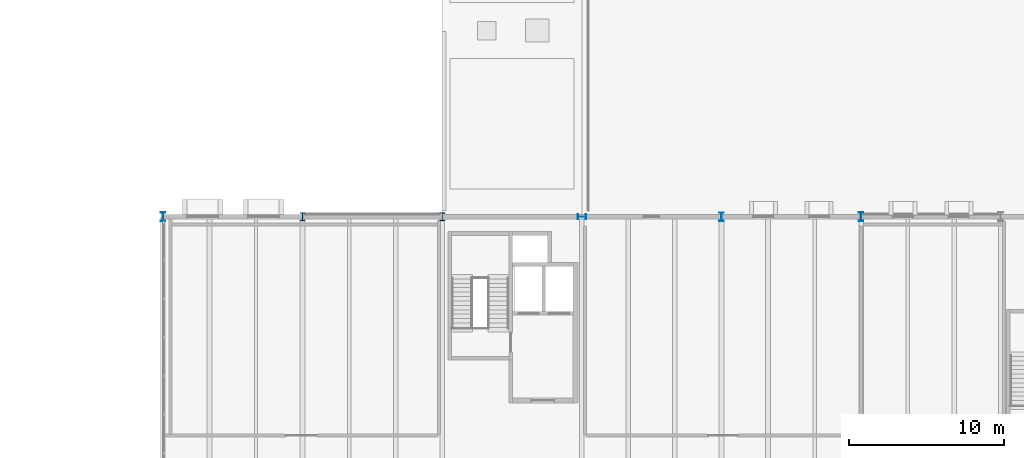
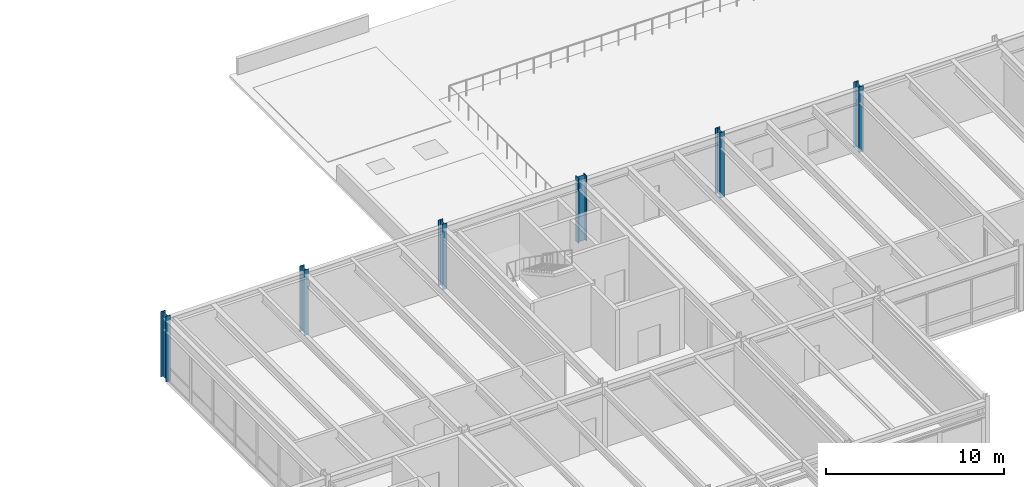
# One storey, part 14 of 115: 6 columns.
"""IFC4 building model written with IfcOpenShell, lengths in metres."""

from ifc_helpers import new_model, si_unit, direction, frame, origin, origin_2d, place, context, subcontext, project, spatial, i_section, extrude, material, material_profile, profile_set, type_object, element, save


model = new_model("IFC4")

# Units and contexts
model_context = context("Model", 3, precision=1e-05, world=origin(), true_north=direction((0.0, 1.0)))
body_context = subcontext(model_context, "Body", "Model", "MODEL_VIEW")
ifc_project = project(units=[si_unit("LENGTHUNIT", "METRE"), si_unit("AREAUNIT", "SQUARE_METRE"), si_unit("VOLUMEUNIT", "CUBIC_METRE"), si_unit("PLANEANGLEUNIT", "RADIAN"), si_unit("MASSUNIT", "GRAM", prefix="KILO")], contexts=[model_context])

# Site, building, storey
site_placement = place(None, origin())
site = spatial("IfcSite", under=ifc_project, at=site_placement, CompositionType="ELEMENT")
building_placement = place(site_placement, origin())
building = spatial("IfcBuilding", under=site, at=building_placement, Name="Montelvaro Courts of Justice", CompositionType="ELEMENT")
storey_placement = place(building_placement, frame((0.0, 0.0, 9.89990234375)))
storey = spatial("IfcBuildingStorey", under=building, at=storey_placement, Name="L02", CompositionType="ELEMENT", Elevation=9.89990234375)

# Columns
ifc_material = material(Name="Steel S355", Category="steel")
ifc_material_profile_1 = material_profile(ifc_material, i_section(OverallWidth=0.300048828125, OverallDepth=0.5, WebThickness=0.014404296875, FlangeThickness=0.028076171875, at=origin_2d()), Name="HEB 500")
ifc_profile_set_1 = profile_set([ifc_material_profile_1], Name="Steel S355")
column_type_1 = type_object("IfcColumnType", Name="Col_HEB500", PredefinedType="COLUMN", material=ifc_profile_set_1)
for number, where, z_axis, x_axis, name in (
    (1, (108.0, 96.0, 0.0), (0.0, 0.0, 1.0), (1.0, 0.0, 0.0), "Column C-09 L02 13/H"),
    (2, (117.0, 96.0, 0.0), (0.0, 0.0, 1.0), (1.0, 0.0, 0.0), "Column C-09 L02 14/H"),
):
    element("IfcColumn", number, at=place(storey_placement, frame(where, z_axis=z_axis, x_axis=x_axis)), inside=storey, type_object=column_type_1, Name=name, PredefinedType="COLUMN", context=body_context, shape_type="SweptSolid", body=[
        extrude(i_section(OverallWidth=0.300048828125, OverallDepth=0.5, WebThickness=0.014404296875, FlangeThickness=0.028076171875, at=origin_2d()), origin(), (0.0, 0.0, 1.0), 4.5),
    ])
ifc_material_profile_2 = material_profile(ifc_material, i_section(OverallWidth=0.300048828125, OverallDepth=0.550048828125, WebThickness=0.014892578125, FlangeThickness=0.029052734375, at=origin_2d()), Name="HEB 550")
ifc_profile_set_2 = profile_set([ifc_material_profile_2], Name="Steel S355")
column_type_2 = type_object("IfcColumnType", Name="Col_HEB550", PredefinedType="COLUMN", material=ifc_profile_set_2)
for number, where, z_axis, x_axis, name in (
    (3, (126.0, 96.0, 0.0), (0.0, 0.0, 1.0), (0.0, 1.0, 0.0), "Column C-10 L02 15/H"),
    (4, (135.0, 96.0, 0.0), (0.0, 0.0, 1.0), (1.0, 0.0, 0.0), "Column C-10 L02 16/H"),
):
    element("IfcColumn", number, at=place(storey_placement, frame(where, z_axis=z_axis, x_axis=x_axis)), inside=storey, type_object=column_type_2, Name=name, PredefinedType="COLUMN", context=body_context, shape_type="SweptSolid", body=[
        extrude(i_section(OverallWidth=0.300048828125, OverallDepth=0.550048828125, WebThickness=0.014892578125, FlangeThickness=0.029052734375, at=origin_2d()), origin(), (0.0, 0.0, 1.0), 4.5),
    ])
ifc_material_profile_3 = material_profile(ifc_material, i_section(OverallWidth=0.300048828125, OverallDepth=0.60009765625, WebThickness=0.015380859375, FlangeThickness=0.030029296875, at=origin_2d()), Name="HEB 600")
ifc_profile_set_3 = profile_set([ifc_material_profile_3], Name="Steel S355")
column_type_3 = type_object("IfcColumnType", Name="Col_HEB600", PredefinedType="COLUMN", material=ifc_profile_set_3)
for number, where, z_axis, x_axis, name in (
    (5, (99.0, 96.0, 0.0), (0.0, 0.0, 1.0), (1.0, 0.0, 0.0), "Column C-11 L02 12/H"),
    (6, (144.0, 96.0, 0.0), (0.0, 0.0, 1.0), (1.0, 0.0, 0.0), "Column C-11 L02 17/H"),
):
    element("IfcColumn", number, at=place(storey_placement, frame(where, z_axis=z_axis, x_axis=x_axis)), inside=storey, type_object=column_type_3, Name=name, PredefinedType="COLUMN", context=body_context, shape_type="SweptSolid", body=[
        extrude(i_section(OverallWidth=0.300048828125, OverallDepth=0.60009765625, WebThickness=0.015380859375, FlangeThickness=0.030029296875, at=origin_2d()), origin(), (0.0, 0.0, 1.0), 4.5),
    ])

save(model, "model.ifc")
